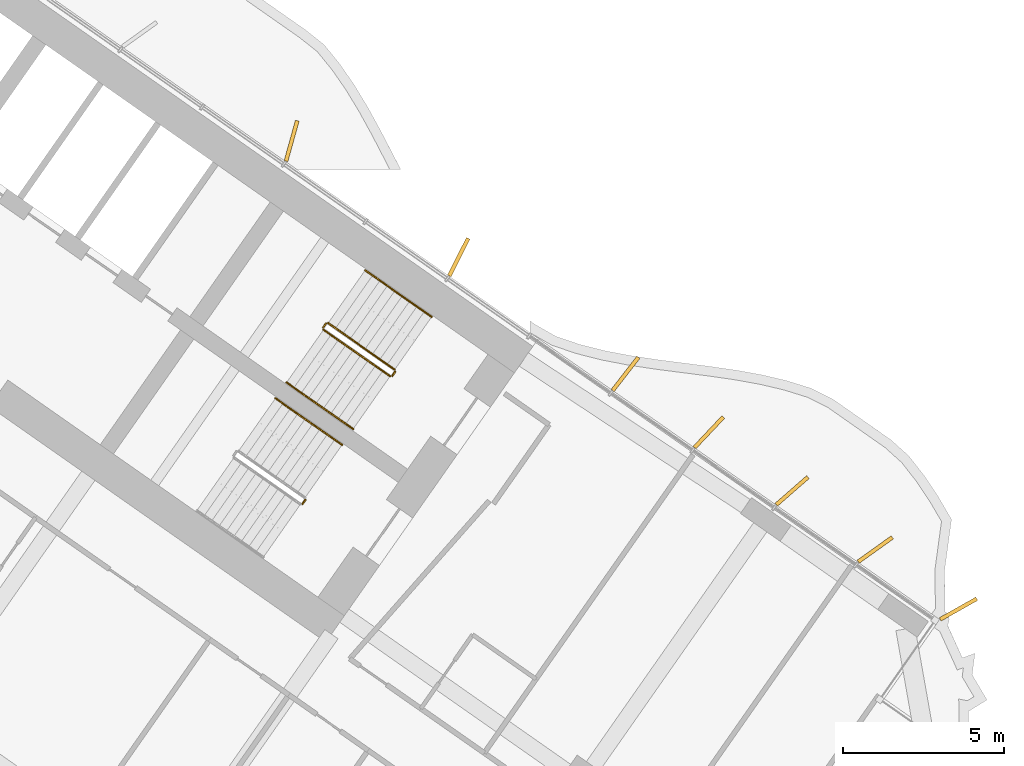
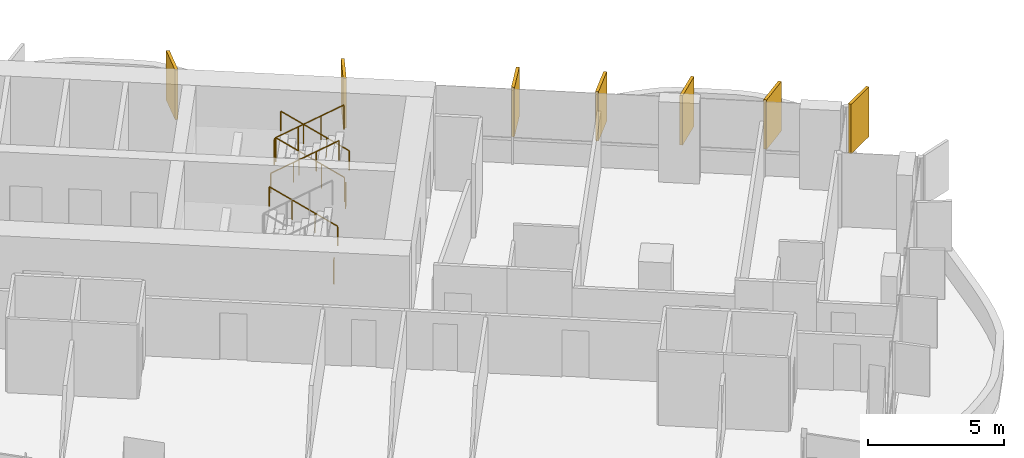
# One storey, part 23 of 23: 8 railings, 7 shading devices.
"""IFC4 building model written with IfcOpenShell, lengths in metres."""

from ifc_helpers import new_model, si_unit, direction, frame, origin, origin_2d, place, context, subcontext, project, spatial, rectangle, circle, extrude, material, layer, layer_set, type_object, element, save


model = new_model("IFC4")

# Units and contexts
model_context = context("Model", 3, precision=1e-05, world=origin(), true_north=direction((0.0, 1.0)))
body_context = subcontext(model_context, "Body", "Model", "MODEL_VIEW")
ifc_project = project(units=[si_unit("LENGTHUNIT", "METRE"), si_unit("AREAUNIT", "SQUARE_METRE"), si_unit("VOLUMEUNIT", "CUBIC_METRE"), si_unit("PLANEANGLEUNIT", "RADIAN"), si_unit("MASSUNIT", "GRAM", prefix="KILO")], contexts=[model_context])

# Site, building, storey
site_placement = place(None, origin())
site = spatial("IfcSite", under=ifc_project, at=site_placement, CompositionType="ELEMENT")
building_placement = place(site_placement, origin())
building = spatial("IfcBuilding", under=site, at=building_placement, Name="Tel Ilan Convention Tower", CompositionType="ELEMENT")
storey_placement = place(building_placement, frame((0.0, 0.0, 83.300048828125)))
storey = spatial("IfcBuildingStorey", under=building, at=storey_placement, Name="L16", CompositionType="ELEMENT", Elevation=83.300048828125)

# Shading devices
ifc_material_1 = material(Name="Aluminium, bronze anodised", Category="aluminium")
ifc_layer = layer(ifc_material_1, 0.1201171875)
ifc_layer_set = layer_set([ifc_layer], Name="FIN BRONZE 1300x120")
shading_device_type = type_object("IfcShadingDeviceType", Name="FIN BRONZE 1300x120", PredefinedType="USERDEFINED", material=ifc_layer_set)
for number, where, z_axis, x_axis, name in (
    (1, (25.665771484375, -4.35791015625, 1.10009765625), (0.0, 0.0, 1.0), (0.448799180206, 0.893632640321, 0.0), "FIN"),
    (2, (20.48095703125, -0.750732421875, 1.10009765625), (0.0, 0.0, 1.0), (0.268172612768, 0.963370878614, 0.0), "FIN"),
    (3, (41.176025390625, -15.281005859375, 1.10009765625), (0.0, 0.0, 1.0), (0.870832754082, 0.491579408049, 0.0), "FIN"),
    (4, (38.59375, -13.43359375, 1.10009765625), (0.0, 0.0, 1.0), (0.813552070258, 0.581492071294, 0.0), "FIN"),
    (5, (36.0146484375, -11.6123046875, 1.10009765625), (0.0, 0.0, 1.0), (0.753435896329, 0.657521368568, 0.0), "FIN"),
    (6, (33.4306640625, -9.795166015625, 1.10009765625), (0.0, 0.0, 1.0), (0.686241637865, 0.727373641577, 0.0), "FIN"),
    (7, (30.842529296875, -7.982666015625, 1.10009765625), (0.0, 0.0, 1.0), (0.612600545196, 0.790392669516, 0.0), "FIN"),
):
    element("IfcShadingDevice", number, at=place(storey_placement, frame(where, z_axis=z_axis, x_axis=x_axis)), inside=storey, type_object=shading_device_type, Name=name, ObjectType="FIN", PredefinedType="USERDEFINED", context=body_context, shape_type="SweptSolid", body=[
        extrude(rectangle(XDim=1.300048828125, YDim=0.1201171875, at=origin_2d()), origin(), (0.0, 0.0, 1.0), 2.219970703125),
    ])

# Railings
ifc_material_2 = material(Name="Stainless Steel Grade 316", Category="steel")
railing_type_1 = type_object("IfcRailingType", Name="Stainless Steel Stair Guard 1100 mm", PredefinedType="GUARDRAIL", material=ifc_material_2)
railing_1_placement = place(storey_placement, frame((23.6787109375, -7.8515625, 0.179931640625)))
element("IfcRailing", 8, at=railing_1_placement, inside=storey, type_object=railing_type_1, Name="L16 S3 stair guard 1", PredefinedType="GUARDRAIL", context=body_context, shape_type="SweptSolid", body=[
    extrude(circle(Radius=0.02392578125, at=origin_2d()), frame((0.0, 0.0, 1.076171875), z_axis=(-0.689013013563, 0.482512838948, 0.540779462804), x_axis=(-0.573624882958, -0.819118119475, 0.0)), (0.0, 0.0, 1.0), 2.995849609375),
    extrude(circle(Radius=0.02099609375, at=origin_2d()), origin(), (0.0, 0.0, 1.0), 1.052001953125),
    extrude(circle(Radius=0.02099609375, at=origin_2d()), frame((-0.68798828125, 0.48193359375, 0.5400390625)), (0.0, 0.0, 1.0), 1.052001953125),
    extrude(circle(Radius=0.02099609375, at=origin_2d()), frame((-1.376220703125, 0.963623046875, 1.080078125)), (0.0, 0.0, 1.0), 1.052001953125),
    extrude(circle(Radius=0.02099609375, at=origin_2d()), frame((-2.064208984375, 1.445556640625, 1.6201171875)), (0.0, 0.0, 1.0), 1.052001953125),
])
railing_2_placement = place(storey_placement, frame((21.544921875, -6.41845703125, 1.800048828125)))
element("IfcRailing", 9, at=railing_2_placement, inside=storey, type_object=railing_type_1, Name="L16 S3 stair guard 2", PredefinedType="GUARDRAIL", context=body_context, shape_type="SweptSolid", body=[
    extrude(circle(Radius=0.02392578125, at=origin_2d()), frame((0.0, 0.0, 1.076171875), z_axis=(-0.573353020881, -0.819308436089, 0.0), x_axis=(0.819308436089, -0.573353020881, 0.0)), (0.0, 0.0, 1.0), 0.14990234375),
    extrude(circle(Radius=0.02099609375, at=origin_2d()), origin(), (0.0, 0.0, 1.0), 1.052001953125),
    extrude(circle(Radius=0.02099609375, at=origin_2d()), frame((-0.0859375, -0.122802734375, 0.0)), (0.0, 0.0, 1.0), 1.052001953125),
])
railing_3_placement = place(storey_placement, frame((21.47119140625, -6.61083984375, 1.97998046875)))
element("IfcRailing", 10, at=railing_3_placement, inside=storey, type_object=railing_type_1, Name="L16 S3 stair guard 3", PredefinedType="GUARDRAIL", context=body_context, shape_type="SweptSolid", body=[
    extrude(circle(Radius=0.02392578125, at=origin_2d()), frame((0.0, 0.0, 1.076171875), z_axis=(0.689043377453, -0.48253410265, 0.540721798865), x_axis=(0.573624882958, 0.819118119475, 0.0)), (0.0, 0.0, 1.0), 2.995849609375),
    extrude(circle(Radius=0.02099609375, at=origin_2d()), origin(), (0.0, 0.0, 1.0), 1.052001953125),
    extrude(circle(Radius=0.02099609375, at=origin_2d()), frame((0.68798828125, -0.48193359375, 0.5400390625)), (0.0, 0.0, 1.0), 1.052001953125),
    extrude(circle(Radius=0.02099609375, at=origin_2d()), frame((1.376220703125, -0.963623046875, 1.079833984375)), (0.0, 0.0, 1.0), 1.052001953125),
    extrude(circle(Radius=0.02099609375, at=origin_2d()), frame((2.064208984375, -1.445556640625, 1.619873046875)), (0.0, 0.0, 1.0), 1.052001953125),
])
railing_4_placement = place(storey_placement, frame((23.691162109375, -7.921142578125, 0.0)))
element("IfcRailing", 11, at=railing_4_placement, inside=storey, type_object=railing_type_1, Name="L16 S3 stair guard 4", PredefinedType="GUARDRAIL", context=body_context, shape_type="SweptSolid", body=[
    extrude(circle(Radius=0.02392578125, at=origin_2d()), frame((0.0, 0.0, 1.076171875), z_axis=(-0.574444878118, -0.818543268254, 0.0), x_axis=(0.818543268254, -0.574444878118, 0.0)), (0.0, 0.0, 1.0), 0.150146484375),
    extrude(circle(Radius=0.02099609375, at=origin_2d()), origin(), (0.0, 0.0, 1.0), 1.052001953125),
    extrude(circle(Radius=0.02099609375, at=origin_2d()), frame((-0.086181640625, -0.122802734375, 0.0)), (0.0, 0.0, 1.0), 1.052001953125),
])
railing_5_placement = place(storey_placement, frame((20.9091796875, -11.89404296875, 0.0)))
element("IfcRailing", 12, at=railing_5_placement, inside=storey, type_object=railing_type_1, Name="L16 S4 stair guard 4", PredefinedType="GUARDRAIL", context=body_context, shape_type="SweptSolid", body=[
    extrude(circle(Radius=0.02392578125, at=origin_2d()), frame((0.0, 0.0, 1.076171875), z_axis=(-0.573353020881, -0.819308436089, 0.0), x_axis=(0.819308436089, -0.573353020881, 0.0)), (0.0, 0.0, 1.0), 0.14990234375),
    extrude(circle(Radius=0.02099609375, at=origin_2d()), origin(), (0.0, 0.0, 1.0), 1.052001953125),
    extrude(circle(Radius=0.02099609375, at=origin_2d()), frame((-0.0859375, -0.122802734375, 0.0)), (0.0, 0.0, 1.0), 1.052001953125),
])
ifc_material_3 = material(Name="Stainless Steel Grade 316", Category="steel")
railing_type_2 = type_object("IfcRailingType", Name="Stainless Steel Stair Handrail 900 mm", PredefinedType="HANDRAIL", material=ifc_material_3)
railing_6_placement = place(storey_placement, frame((24.825927734375, -6.213134765625, 0.179931640625)))
element("IfcRailing", 13, at=railing_6_placement, inside=storey, type_object=railing_type_2, Name="L16 S3 stair handrail 1", PredefinedType="HANDRAIL", context=body_context, shape_type="SweptSolid", body=[
    extrude(circle(Radius=0.02392578125, at=origin_2d()), frame((0.0, 0.0, 0.8759765625), z_axis=(-0.689040105437, 0.482450316285, 0.54080072616), x_axis=(-0.573559875649, -0.819163639968, 0.0)), (0.0, 0.0, 1.0), 2.995849609375),
    extrude(circle(Radius=0.02099609375, at=origin_2d()), origin(), (0.0, 0.0, 1.0), 0.851806640625),
    extrude(circle(Radius=0.02099609375, at=origin_2d()), frame((-0.68798828125, 0.481689453125, 0.5400390625)), (0.0, 0.0, 1.0), 0.851806640625),
    extrude(circle(Radius=0.02099609375, at=origin_2d()), frame((-1.376220703125, 0.963623046875, 1.080078125)), (0.0, 0.0, 1.0), 0.851806640625),
    extrude(circle(Radius=0.02099609375, at=origin_2d()), frame((-2.064208984375, 1.4453125, 1.6201171875)), (0.0, 0.0, 1.0), 0.851806640625),
])
railing_7_placement = place(storey_placement, frame((20.323974609375, -8.249267578125, 1.97998046875)))
element("IfcRailing", 14, at=railing_7_placement, inside=storey, type_object=railing_type_2, Name="L16 S3 stair handrail 2", PredefinedType="HANDRAIL", context=body_context, shape_type="SweptSolid", body=[
    extrude(circle(Radius=0.02392578125, at=origin_2d()), frame((0.0, 0.0, 0.8759765625), z_axis=(0.68907047291, -0.482471578903, 0.540743061828), x_axis=(0.573559875649, 0.819163639968, 0.0)), (0.0, 0.0, 1.0), 2.99560546875),
    extrude(circle(Radius=0.02099609375, at=origin_2d()), origin(), (0.0, 0.0, 1.0), 0.851806640625),
    extrude(circle(Radius=0.02099609375, at=origin_2d()), frame((0.68798828125, -0.481689453125, 0.5400390625)), (0.0, 0.0, 1.0), 0.851806640625),
    extrude(circle(Radius=0.02099609375, at=origin_2d()), frame((1.376220703125, -0.963623046875, 1.079833984375)), (0.0, 0.0, 1.0), 0.851806640625),
    extrude(circle(Radius=0.02099609375, at=origin_2d()), frame((2.064208984375, -1.4453125, 1.619873046875)), (0.0, 0.0, 1.0), 0.851806640625),
])
railing_8_placement = place(storey_placement, frame((22.044189453125, -10.18603515625, 0.179931640625)))
element("IfcRailing", 15, at=railing_8_placement, inside=storey, type_object=railing_type_2, Name="L16 S4 stair handrail 1", PredefinedType="HANDRAIL", context=body_context, shape_type="SweptSolid", body=[
    extrude(circle(Radius=0.02392578125, at=origin_2d()), frame((0.0, 0.0, 0.8759765625), z_axis=(-0.689082904933, 0.482423225781, 0.540770359169), x_axis=(-0.573514357932, -0.81919550856, 0.0)), (0.0, 0.0, 1.0), 2.995849609375),
    extrude(circle(Radius=0.02099609375, at=origin_2d()), origin(), (0.0, 0.0, 1.0), 0.851806640625),
    extrude(circle(Radius=0.02099609375, at=origin_2d()), frame((-0.688232421875, 0.481689453125, 0.5400390625)), (0.0, 0.0, 1.0), 0.851806640625),
    extrude(circle(Radius=0.02099609375, at=origin_2d()), frame((-1.376220703125, 0.963623046875, 1.080078125)), (0.0, 0.0, 1.0), 0.851806640625),
    extrude(circle(Radius=0.02099609375, at=origin_2d()), frame((-2.064453125, 1.4453125, 1.6201171875)), (0.0, 0.0, 1.0), 0.851806640625),
])

save(model, "model.ifc")
